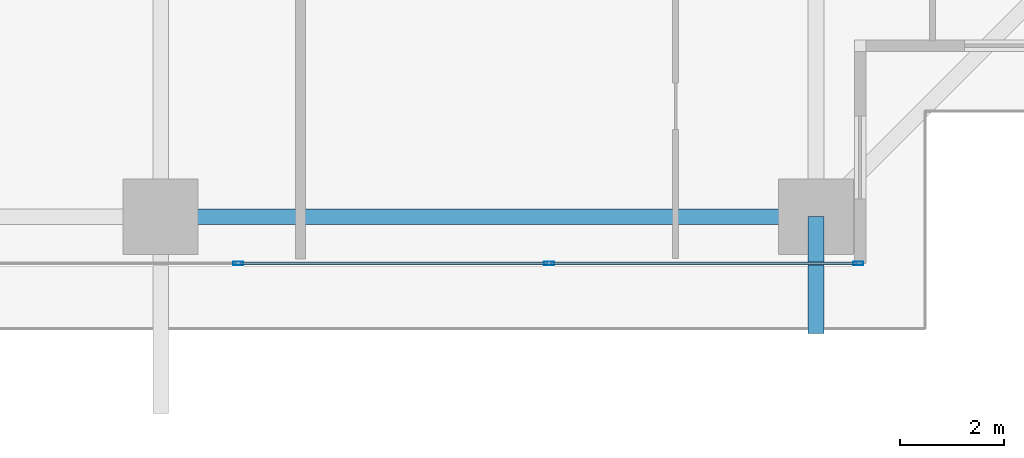
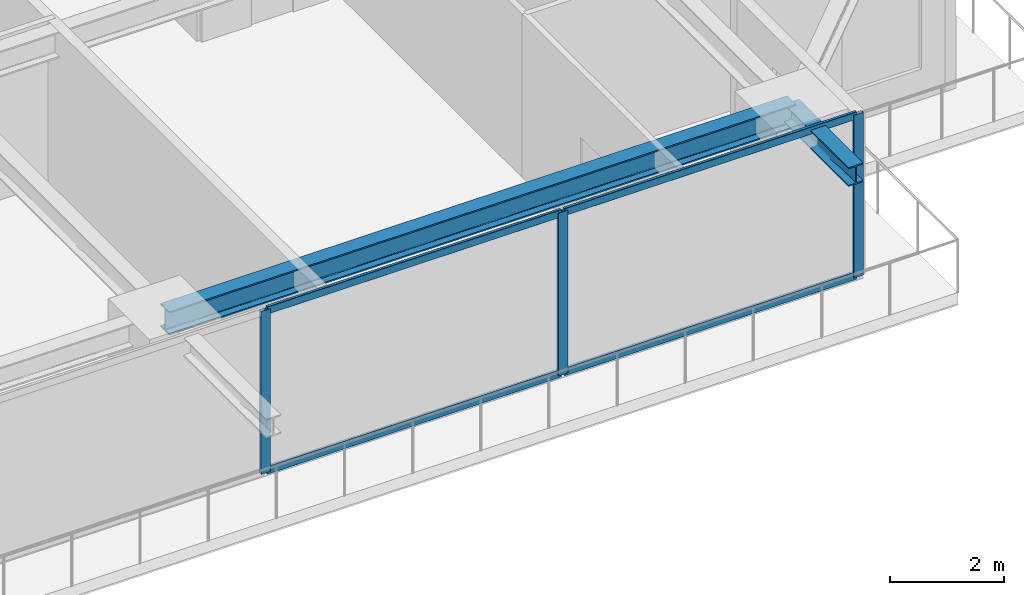
# One storey, part 10 of 35: 7 members, 2 beams, 1 element without a shape of its own.
"""IFC4 building model written with IfcOpenShell, lengths in metres."""

from ifc_helpers import new_model, si_unit, direction, frame, origin, origin_2d, place, context, subcontext, project, spatial, hollow_rectangle, i_section, extrude, source, transform, mapped, material, layer, layer_set, material_profile, profile_set, type_object, element, aggregate, save


model = new_model("IFC4")

# Units and contexts
model_context = context("Model", 3, precision=1e-05, world=origin(), true_north=direction((0.0, 1.0)))
body_context = subcontext(model_context, "Body", "Model", "MODEL_VIEW")
ifc_project = project(units=[si_unit("LENGTHUNIT", "METRE"), si_unit("AREAUNIT", "SQUARE_METRE"), si_unit("VOLUMEUNIT", "CUBIC_METRE"), si_unit("PLANEANGLEUNIT", "RADIAN"), si_unit("MASSUNIT", "GRAM", prefix="KILO")], contexts=[model_context])

# Site, building, storey
site_placement = place(None, origin())
site = spatial("IfcSite", under=ifc_project, at=site_placement, CompositionType="ELEMENT")
building_placement = place(site_placement, origin())
building = spatial("IfcBuilding", under=site, at=building_placement, Name="Serunith Strait Residences", CompositionType="ELEMENT")
storey_placement = place(building_placement, frame((0.0, 0.0, 56.699951171875)))
storey = spatial("IfcBuildingStorey", under=building, at=storey_placement, Name="L13", CompositionType="ELEMENT", Elevation=56.699951171875)

# Beams
ifc_material_1 = material(Name="Steel S355J2", Category="steel")
ifc_material_profile_1 = material_profile(ifc_material_1, i_section(OverallWidth=0.300048828125, OverallDepth=0.5, WebThickness=0.014404296875, FlangeThickness=0.028076171875, FilletRadius=0.027099609375, at=origin_2d()), Name="HEB 500")
ifc_profile_set_1 = profile_set([ifc_material_profile_1], Name="Steel S355J2")
beam_type_1 = type_object("IfcBeamType", Name="BM-HEB500", PredefinedType="BEAM", material=ifc_profile_set_1)
shared_shape_1 = source(origin(), body_context, "Body", "SweptSolid", [
    extrude(i_section(OverallWidth=0.300048828125, OverallDepth=0.5, WebThickness=0.014404296875, FlangeThickness=0.028076171875, FilletRadius=0.027099609375, at=origin_2d()), origin(), (0.0, 0.0, 1.0), 12.650146484375),
])
beam_1_placement = place(storey_placement, frame((36.89990234375, 1.10009765625, 3.237060546875), z_axis=(1.0, 0.0, 0.0), x_axis=(0.0, 1.0, 0.0)))
element("IfcBeam", 1, at=beam_1_placement, inside=storey, type_object=beam_type_1, Name="L13 Perimeter Ring Beam 03", PredefinedType="BEAM", context=body_context, shape_type="MappedRepresentation", body=[
    mapped(shared_shape_1, transform((0.0, 0.0, 0.0), scale=1.0)),
])
ifc_material_profile_2 = material_profile(ifc_material_1, i_section(OverallWidth=0.300048828125, OverallDepth=0.39990234375, WebThickness=0.013427734375, FlangeThickness=0.02392578125, FilletRadius=0.027099609375, at=origin_2d()), Name="HEB 400")
ifc_profile_set_2 = profile_set([ifc_material_profile_2], Name="Steel S355J2")
beam_type_2 = type_object("IfcBeamType", Name="BM-HEB400", PredefinedType="BEAM", material=ifc_profile_set_2)
shared_shape_2 = source(origin(), body_context, "Body", "SweptSolid", [
    extrude(i_section(OverallWidth=0.300048828125, OverallDepth=0.39990234375, WebThickness=0.013427734375, FlangeThickness=0.02392578125, FilletRadius=0.027099609375, at=origin_2d()), origin(), (0.0, 0.0, 1.0), 2.25),
])
beam_2_placement = place(storey_placement, frame((49.550048828125, 1.10009765625, 3.257080078125), z_axis=(0.0, -1.0, 0.0), x_axis=(1.0, 0.0, 0.0)))
element("IfcBeam", 2, at=beam_2_placement, inside=storey, type_object=beam_type_2, Name="L14 Cantilevered Balcony Rib TC-S4", PredefinedType="BEAM", context=body_context, shape_type="MappedRepresentation", body=[
    mapped(shared_shape_2, transform((0.0, 0.0, 0.0), scale=1.0)),
])

# Curtain wall, members
ifc_material_2 = material(Name="Pale-Champagne Anodised Aluminium", Category="aluminium")
ifc_layer = layer(ifc_material_2, 0.199951171875, Name="Pale-Champagne Anodised Aluminium")
ifc_layer_set = layer_set([ifc_layer], Name="Pale-Champagne Anodised Aluminium")
curtain_wall_type = type_object("IfcCurtainWallType", Name="CW-SYS1", PredefinedType="NOTDEFINED", material=ifc_layer_set)
curtain_wall_placement = place(storey_placement, origin())
curtain_wall = element("IfcCurtainWall", 3, at=curtain_wall_placement, inside=storey, type_object=curtain_wall_type, Name="L13 S Unitised Fritted Curtain Wall", PredefinedType="NOTDEFINED")
ifc_material_profile_3 = material_profile(ifc_material_2, hollow_rectangle(XDim=0.070068359375, YDim=0.199951171875, WallThickness=0.00390625, InnerFilletRadius=0.006103515625, OuterFilletRadius=0.010009765625, at=origin_2d()), Name="ALU 200x70x4")
ifc_profile_set_3 = profile_set([ifc_material_profile_3], Name="Pale-Champagne Anodised Aluminium")
member_type_1 = type_object("IfcMemberType", Name="CW-SYS1-MULL", PredefinedType="MULLION", material=ifc_profile_set_3)
shared_shape_3 = source(origin(), body_context, "Body", "SweptSolid", [
    extrude(hollow_rectangle(XDim=0.070068359375, YDim=0.199951171875, WallThickness=0.00390625, InnerFilletRadius=0.006103515625, OuterFilletRadius=0.010009765625, at=origin_2d()), origin(), (0.0, 0.0, 1.0), 3.47509765625),
])
member_1_placement = place(storey_placement, frame((38.39990234375, 0.199951171875, 0.0), z_axis=(0.0, 0.0, 1.0), x_axis=(0.0, 1.0, 0.0)))
member_1 = element("IfcMember", 4, at=member_1_placement, type_object=member_type_1, Name="CW-1 mullion 5", PredefinedType="MULLION", context=body_context, shape_type="MappedRepresentation", body=[
    mapped(shared_shape_3, transform((0.0, 0.0, 0.0), scale=1.0)),
])
member_2_placement = place(storey_placement, frame((44.39990234375, 0.199951171875, 0.0), z_axis=(0.0, 0.0, 1.0), x_axis=(0.0, 1.0, 0.0)))
member_2 = element("IfcMember", 5, at=member_2_placement, type_object=member_type_1, Name="CW-1 mullion 6", PredefinedType="MULLION", context=body_context, shape_type="MappedRepresentation", body=[
    mapped(shared_shape_3, transform((0.0, 0.0, 0.0), scale=1.0)),
])
member_3_placement = place(storey_placement, frame((50.364990234375, 0.199951171875, 0.0), z_axis=(0.0, 0.0, 1.0), x_axis=(0.0, 1.0, 0.0)))
member_3 = element("IfcMember", 6, at=member_3_placement, type_object=member_type_1, Name="CW-1 mullion 7", PredefinedType="MULLION", context=body_context, shape_type="MappedRepresentation", body=[
    mapped(shared_shape_3, transform((0.0, 0.0, 0.0), scale=1.0)),
])
ifc_material_profile_4 = material_profile(ifc_material_2, hollow_rectangle(XDim=0.06005859375, YDim=0.159912109375, WallThickness=0.00341796875, InnerFilletRadius=0.00537109375, OuterFilletRadius=0.0087890625, at=origin_2d()), Name="ALU 160x60x3.5")
ifc_profile_set_4 = profile_set([ifc_material_profile_4], Name="Pale-Champagne Anodised Aluminium")
member_type_2 = type_object("IfcMemberType", Name="CW-SYS1-TRAN", PredefinedType="USERDEFINED", material=ifc_profile_set_4)
shared_shape_4 = source(origin(), body_context, "Body", "SweptSolid", [
    extrude(hollow_rectangle(XDim=0.06005859375, YDim=0.159912109375, WallThickness=0.00341796875, InnerFilletRadius=0.00537109375, OuterFilletRadius=0.0087890625, at=origin_2d()), origin(), (0.0, 0.0, 1.0), 5.89501953125),
])
member_4_placement = place(storey_placement, frame((44.43505859375, 0.199951171875, 0.030029296875), z_axis=(1.0, 0.0, 0.0), x_axis=(0.0, 1.0, 0.0)))
member_4 = element("IfcMember", 7, at=member_4_placement, type_object=member_type_2, Name="CW-1 transom 6.1", ObjectType="TRANSOM", PredefinedType="USERDEFINED", context=body_context, shape_type="MappedRepresentation", body=[
    mapped(shared_shape_4, transform((0.0, 0.0, 0.0), scale=1.0)),
])
member_5_placement = place(storey_placement, frame((44.43505859375, 0.199951171875, 3.445068359375), z_axis=(1.0, 0.0, 0.0), x_axis=(0.0, 1.0, 0.0)))
member_5 = element("IfcMember", 8, at=member_5_placement, type_object=member_type_2, Name="CW-1 transom 6.2", ObjectType="TRANSOM", PredefinedType="USERDEFINED", context=body_context, shape_type="MappedRepresentation", body=[
    mapped(shared_shape_4, transform((0.0, 0.0, 0.0), scale=1.0)),
])
shared_shape_5 = source(origin(), body_context, "Body", "SweptSolid", [
    extrude(hollow_rectangle(XDim=0.06005859375, YDim=0.159912109375, WallThickness=0.00341796875, InnerFilletRadius=0.00537109375, OuterFilletRadius=0.0087890625, at=origin_2d()), origin(), (0.0, 0.0, 1.0), 5.929931640625),
])
member_6_placement = place(storey_placement, frame((38.43505859375, 0.199951171875, 0.030029296875), z_axis=(1.0, 0.0, 0.0), x_axis=(0.0, 1.0, 0.0)))
member_6 = element("IfcMember", 9, at=member_6_placement, type_object=member_type_2, Name="CW-1 transom 5.1", ObjectType="TRANSOM", PredefinedType="USERDEFINED", context=body_context, shape_type="MappedRepresentation", body=[
    mapped(shared_shape_5, transform((0.0, 0.0, 0.0), scale=1.0)),
])
member_7_placement = place(storey_placement, frame((38.43505859375, 0.199951171875, 3.445068359375), z_axis=(1.0, 0.0, 0.0), x_axis=(0.0, 1.0, 0.0)))
member_7 = element("IfcMember", 10, at=member_7_placement, type_object=member_type_2, Name="CW-1 transom 5.2", ObjectType="TRANSOM", PredefinedType="USERDEFINED", context=body_context, shape_type="MappedRepresentation", body=[
    mapped(shared_shape_5, transform((0.0, 0.0, 0.0), scale=1.0)),
])
aggregate(curtain_wall, [member_1, member_2, member_3, member_6, member_7, member_4, member_5])

save(model, "model.ifc")
